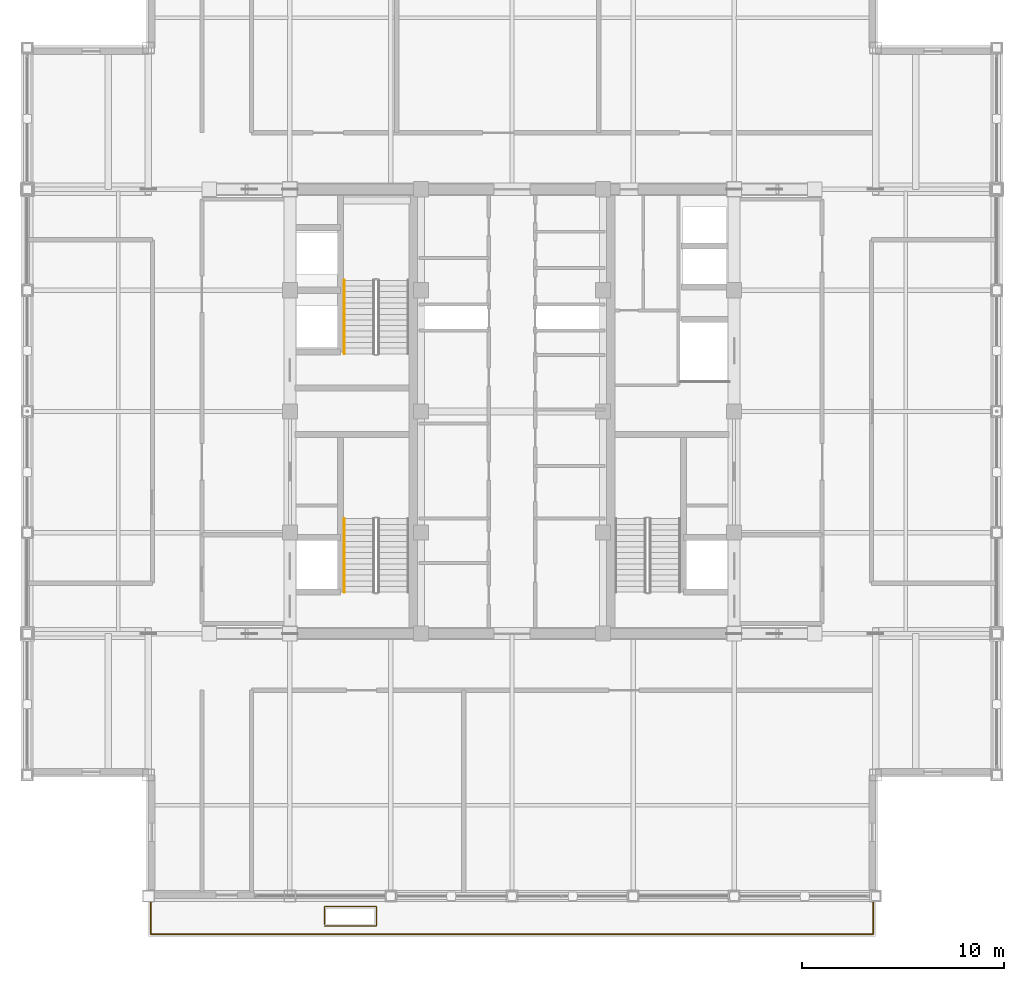
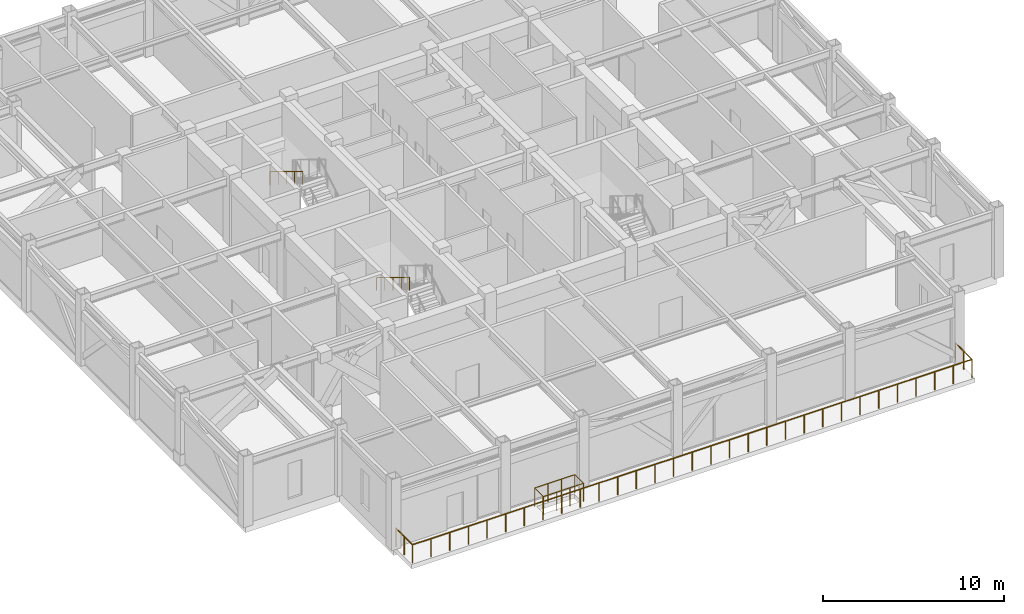
# One storey, part 30 of 32: 4 railings.
"""IFC4 building model written with IfcOpenShell, lengths in metres."""

from ifc_helpers import new_model, si_unit, direction, frame, origin, origin_2d, place, context, subcontext, project, spatial, circle, extrude, source, transform, mapped, material, type_object, element, save


model = new_model("IFC4")

# Units and contexts
model_context = context("Model", 3, precision=1e-05, world=origin(), true_north=direction((0.0, 1.0)))
body_context = subcontext(model_context, "Body", "Model", "MODEL_VIEW")
ifc_project = project(units=[si_unit("LENGTHUNIT", "METRE"), si_unit("AREAUNIT", "SQUARE_METRE"), si_unit("VOLUMEUNIT", "CUBIC_METRE"), si_unit("PLANEANGLEUNIT", "RADIAN"), si_unit("MASSUNIT", "GRAM", prefix="KILO")], contexts=[model_context])

# Site, building, storey
site_placement = place(None, origin())
site = spatial("IfcSite", under=ifc_project, at=site_placement, CompositionType="ELEMENT")
building_placement = place(site_placement, origin())
building = spatial("IfcBuilding", under=site, at=building_placement, Name="Khorayat Bourse Tower", CompositionType="ELEMENT")
storey_placement = place(building_placement, frame((0.0, 0.0, 375.5)))
storey = spatial("IfcBuildingStorey", under=building, at=storey_placement, Name="L89", CompositionType="ELEMENT", Elevation=375.5)

# Railings
ifc_material_1 = material(Name="Laminated glass and bronze balustrade", Category="glass")
railing_type_1 = type_object("IfcRailingType", Name="RLG-TERR-1250", PredefinedType="GUARDRAIL", material=ifc_material_1)
shared_shape_1 = source(origin(), body_context, "Body", "SweptSolid", [
    extrude(circle(Radius=0.02392578125, at=origin_2d()), frame((0.0, 0.0, 1.22607421875), z_axis=(1.0, 0.0, 0.0), x_axis=(0.0, 1.0, 0.0)), (0.0, 0.0, 1.0), 2.56005859375),
    extrude(circle(Radius=0.02392578125, at=origin_2d()), frame((2.56005859375, 0.0, 1.22607421875), z_axis=(0.0, 1.0, 0.0), x_axis=(-1.0, 0.0, 0.0)), (0.0, 0.0, 1.0), 0.9599609375),
    extrude(circle(Radius=0.02392578125, at=origin_2d()), frame((2.56005859375, 0.9599609375, 1.22607421875), z_axis=(-1.0, 0.0, 0.0), x_axis=(0.0, -1.0, 0.0)), (0.0, 0.0, 1.0), 2.56005859375),
    extrude(circle(Radius=0.02392578125, at=origin_2d()), frame((0.0, 0.9599609375, 1.22607421875), z_axis=(0.0, -1.0, 0.0), x_axis=(1.0, 0.0, 0.0)), (0.0, 0.0, 1.0), 0.8798828125),
    extrude(circle(Radius=0.02099609375, at=origin_2d()), origin(), (0.0, 0.0, 1.0), 1.201904296875),
    extrude(circle(Radius=0.02099609375, at=origin_2d()), frame((0.853271484375, 0.0, 0.0)), (0.0, 0.0, 1.0), 1.201904296875),
    extrude(circle(Radius=0.02099609375, at=origin_2d()), frame((1.706787109375, 0.0, 0.0)), (0.0, 0.0, 1.0), 1.201904296875),
    extrude(circle(Radius=0.02099609375, at=origin_2d()), frame((2.56005859375, 0.0, 0.0)), (0.0, 0.0, 1.0), 1.201904296875),
    extrude(circle(Radius=0.02099609375, at=origin_2d()), frame((2.56005859375, 0.9599609375, 0.0)), (0.0, 0.0, 1.0), 1.201904296875),
    extrude(circle(Radius=0.02099609375, at=origin_2d()), frame((1.706787109375, 0.9599609375, 0.0)), (0.0, 0.0, 1.0), 1.201904296875),
    extrude(circle(Radius=0.02099609375, at=origin_2d()), frame((0.853271484375, 0.9599609375, 0.0)), (0.0, 0.0, 1.0), 1.201904296875),
    extrude(circle(Radius=0.02099609375, at=origin_2d()), frame((0.0, 0.9599609375, 0.0)), (0.0, 0.0, 1.0), 1.201904296875),
    extrude(circle(Radius=0.02099609375, at=origin_2d()), frame((0.0, 0.080078125, 0.0)), (0.0, 0.0, 1.0), 1.201904296875),
])
railing_1_placement = place(storey_placement, frame((-9.280029296875, -25.47998046875, 0.0)))
element("IfcRailing", 1, at=railing_1_placement, inside=storey, type_object=railing_type_1, Name="L89 Terrace Tree-Pit Guardrail 02", PredefinedType="GUARDRAIL", context=body_context, shape_type="MappedRepresentation", body=[
    mapped(shared_shape_1, transform((0.0, 0.0, 0.0), scale=1.0)),
])
shared_shape_2 = source(origin(), body_context, "Body", "SweptSolid", [
    extrude(circle(Radius=0.02392578125, at=origin_2d()), frame((0.0, 0.0, 1.22607421875), z_axis=(0.0, -1.0, 0.0), x_axis=(1.0, 0.0, 0.0)), (0.0, 0.0, 1.0), 1.829833984375),
    extrude(circle(Radius=0.02392578125, at=origin_2d()), frame((0.0, -1.829833984375, 1.22607421875), z_axis=(1.0, 0.0, 0.0), x_axis=(0.0, 1.0, 0.0)), (0.0, 0.0, 1.0), 35.759765625),
    extrude(circle(Radius=0.02392578125, at=origin_2d()), frame((35.759765625, -1.829833984375, 1.22607421875), z_axis=(0.0, 1.0, 0.0), x_axis=(-1.0, 0.0, 0.0)), (0.0, 0.0, 1.0), 1.829833984375),
    extrude(circle(Radius=0.02099609375, at=origin_2d()), origin(), (0.0, 0.0, 1.0), 1.201904296875),
    extrude(circle(Radius=0.02099609375, at=origin_2d()), frame((0.0, -0.9150390625, 0.0)), (0.0, 0.0, 1.0), 1.201904296875),
    extrude(circle(Radius=0.02099609375, at=origin_2d()), frame((0.0, -1.829833984375, 0.0)), (0.0, 0.0, 1.0), 1.201904296875),
    extrude(circle(Radius=0.02099609375, at=origin_2d()), frame((1.19189453125, -1.829833984375, 0.0)), (0.0, 0.0, 1.0), 1.201904296875),
    extrude(circle(Radius=0.02099609375, at=origin_2d()), frame((2.384033203125, -1.829833984375, 0.0)), (0.0, 0.0, 1.0), 1.201904296875),
    extrude(circle(Radius=0.02099609375, at=origin_2d()), frame((3.575927734375, -1.829833984375, 0.0)), (0.0, 0.0, 1.0), 1.201904296875),
    extrude(circle(Radius=0.02099609375, at=origin_2d()), frame((4.76806640625, -1.829833984375, 0.0)), (0.0, 0.0, 1.0), 1.201904296875),
    extrude(circle(Radius=0.02099609375, at=origin_2d()), frame((5.9599609375, -1.829833984375, 0.0)), (0.0, 0.0, 1.0), 1.201904296875),
    extrude(circle(Radius=0.02099609375, at=origin_2d()), frame((7.15185546875, -1.829833984375, 0.0)), (0.0, 0.0, 1.0), 1.201904296875),
    extrude(circle(Radius=0.02099609375, at=origin_2d()), frame((8.343994140625, -1.829833984375, 0.0)), (0.0, 0.0, 1.0), 1.201904296875),
    extrude(circle(Radius=0.02099609375, at=origin_2d()), frame((9.535888671875, -1.829833984375, 0.0)), (0.0, 0.0, 1.0), 1.201904296875),
    extrude(circle(Radius=0.02099609375, at=origin_2d()), frame((10.72802734375, -1.829833984375, 0.0)), (0.0, 0.0, 1.0), 1.201904296875),
    extrude(circle(Radius=0.02099609375, at=origin_2d()), frame((11.919921875, -1.829833984375, 0.0)), (0.0, 0.0, 1.0), 1.201904296875),
    extrude(circle(Radius=0.02099609375, at=origin_2d()), frame((13.11181640625, -1.829833984375, 0.0)), (0.0, 0.0, 1.0), 1.201904296875),
    extrude(circle(Radius=0.02099609375, at=origin_2d()), frame((14.303955078125, -1.829833984375, 0.0)), (0.0, 0.0, 1.0), 1.201904296875),
    extrude(circle(Radius=0.02099609375, at=origin_2d()), frame((15.495849609375, -1.829833984375, 0.0)), (0.0, 0.0, 1.0), 1.201904296875),
    extrude(circle(Radius=0.02099609375, at=origin_2d()), frame((16.68798828125, -1.829833984375, 0.0)), (0.0, 0.0, 1.0), 1.201904296875),
    extrude(circle(Radius=0.02099609375, at=origin_2d()), frame((17.8798828125, -1.829833984375, 0.0)), (0.0, 0.0, 1.0), 1.201904296875),
    extrude(circle(Radius=0.02099609375, at=origin_2d()), frame((19.07177734375, -1.829833984375, 0.0)), (0.0, 0.0, 1.0), 1.201904296875),
    extrude(circle(Radius=0.02099609375, at=origin_2d()), frame((20.263916015625, -1.829833984375, 0.0)), (0.0, 0.0, 1.0), 1.201904296875),
    extrude(circle(Radius=0.02099609375, at=origin_2d()), frame((21.455810546875, -1.829833984375, 0.0)), (0.0, 0.0, 1.0), 1.201904296875),
    extrude(circle(Radius=0.02099609375, at=origin_2d()), frame((22.64794921875, -1.829833984375, 0.0)), (0.0, 0.0, 1.0), 1.201904296875),
    extrude(circle(Radius=0.02099609375, at=origin_2d()), frame((23.83984375, -1.829833984375, 0.0)), (0.0, 0.0, 1.0), 1.201904296875),
    extrude(circle(Radius=0.02099609375, at=origin_2d()), frame((25.03173828125, -1.829833984375, 0.0)), (0.0, 0.0, 1.0), 1.201904296875),
    extrude(circle(Radius=0.02099609375, at=origin_2d()), frame((26.223876953125, -1.829833984375, 0.0)), (0.0, 0.0, 1.0), 1.201904296875),
    extrude(circle(Radius=0.02099609375, at=origin_2d()), frame((27.415771484375, -1.829833984375, 0.0)), (0.0, 0.0, 1.0), 1.201904296875),
    extrude(circle(Radius=0.02099609375, at=origin_2d()), frame((28.60791015625, -1.829833984375, 0.0)), (0.0, 0.0, 1.0), 1.201904296875),
    extrude(circle(Radius=0.02099609375, at=origin_2d()), frame((29.7998046875, -1.829833984375, 0.0)), (0.0, 0.0, 1.0), 1.201904296875),
    extrude(circle(Radius=0.02099609375, at=origin_2d()), frame((30.99169921875, -1.829833984375, 0.0)), (0.0, 0.0, 1.0), 1.201904296875),
    extrude(circle(Radius=0.02099609375, at=origin_2d()), frame((32.183837890625, -1.829833984375, 0.0)), (0.0, 0.0, 1.0), 1.201904296875),
    extrude(circle(Radius=0.02099609375, at=origin_2d()), frame((33.375732421875, -1.829833984375, 0.0)), (0.0, 0.0, 1.0), 1.201904296875),
    extrude(circle(Radius=0.02099609375, at=origin_2d()), frame((34.56787109375, -1.829833984375, 0.0)), (0.0, 0.0, 1.0), 1.201904296875),
    extrude(circle(Radius=0.02099609375, at=origin_2d()), frame((35.759765625, -1.829833984375, 0.0)), (0.0, 0.0, 1.0), 1.201904296875),
    extrude(circle(Radius=0.02099609375, at=origin_2d()), frame((35.759765625, -0.9150390625, 0.0)), (0.0, 0.0, 1.0), 1.201904296875),
    extrude(circle(Radius=0.02099609375, at=origin_2d()), frame((35.759765625, 0.0, 0.0)), (0.0, 0.0, 1.0), 1.201904296875),
])
railing_2_placement = place(storey_placement, frame((-17.8798828125, -24.050048828125, 0.0)))
element("IfcRailing", 2, at=railing_2_placement, inside=storey, type_object=railing_type_1, Name="L89 South Setback Terrace Guardrail", PredefinedType="GUARDRAIL", context=body_context, shape_type="MappedRepresentation", body=[
    mapped(shared_shape_2, transform((0.0, 0.0, 0.0), scale=1.0)),
])
ifc_material_2 = material(Name="Brushed bronze stainless-steel handrail", Category="steel")
railing_type_2 = type_object("IfcRailingType", Name="RLG-HAND-900", PredefinedType="HANDRAIL", material=ifc_material_2)
shared_shape_3 = source(origin(), body_context, "Body", "SweptSolid", [
    extrude(circle(Radius=0.02392578125, at=origin_2d()), frame((0.0, 0.0, 0.8759765625), z_axis=(0.0, -0.852850264322, 0.5221555579), x_axis=(1.0, 0.0, 0.0)), (0.0, 0.0, 1.0), 4.267822265625),
    extrude(circle(Radius=0.02099609375, at=origin_2d()), origin(), (0.0, 0.0, 1.0), 0.851806640625),
    extrude(circle(Radius=0.02099609375, at=origin_2d()), frame((0.0, -0.909912109375, 0.55712890625)), (0.0, 0.0, 1.0), 0.851806640625),
    extrude(circle(Radius=0.02099609375, at=origin_2d()), frame((0.0, -1.81982421875, 1.1142578125)), (0.0, 0.0, 1.0), 0.851806640625),
    extrude(circle(Radius=0.02099609375, at=origin_2d()), frame((0.0, -2.72998046875, 1.67138671875)), (0.0, 0.0, 1.0), 0.851806640625),
    extrude(circle(Radius=0.02099609375, at=origin_2d()), frame((0.0, -3.639892578125, 2.228515625)), (0.0, 0.0, 1.0), 0.851806640625),
])
for number, where, name in (
    (3, (-8.300048828125, -5.31005859375, 2.571533203125), "L89 ST-1 stair handrail 2"),
    (4, (-8.300048828125, 6.489990234375, 2.571533203125), "L89 ST-2 stair handrail 2"),
):
    element("IfcRailing", number, at=place(storey_placement, frame(where)), inside=storey, type_object=railing_type_2, Name=name, PredefinedType="HANDRAIL", context=body_context, shape_type="MappedRepresentation", body=[
        mapped(shared_shape_3, transform((0.0, 0.0, 0.0), scale=1.0)),
    ])

save(model, "model.ifc")
